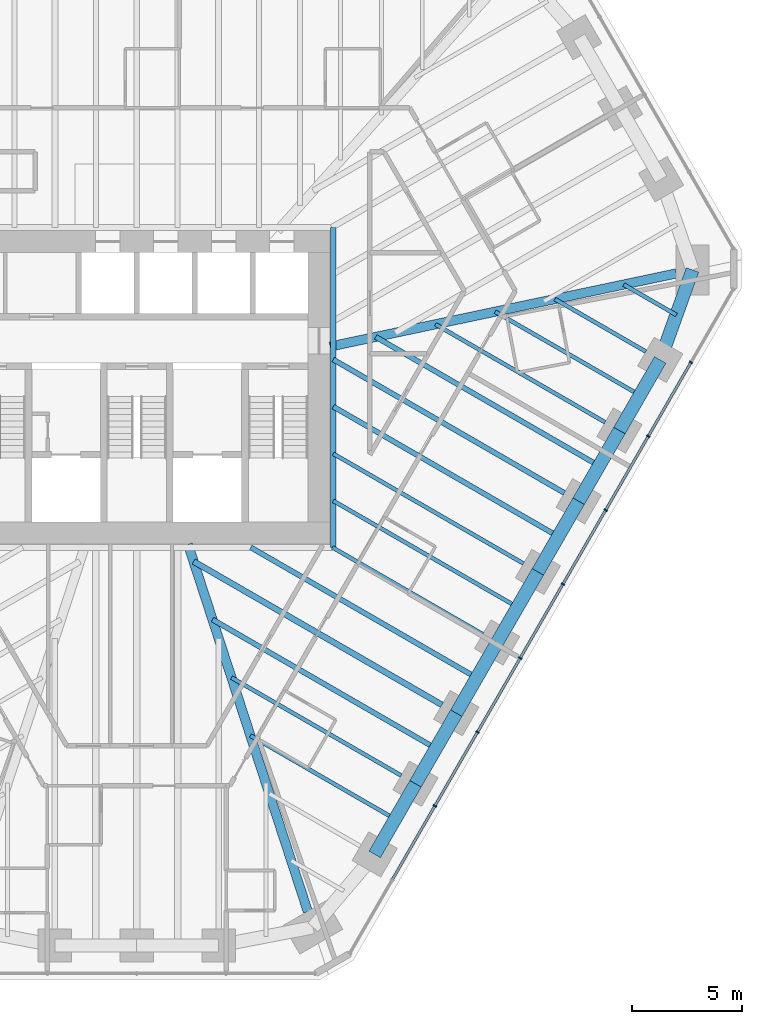
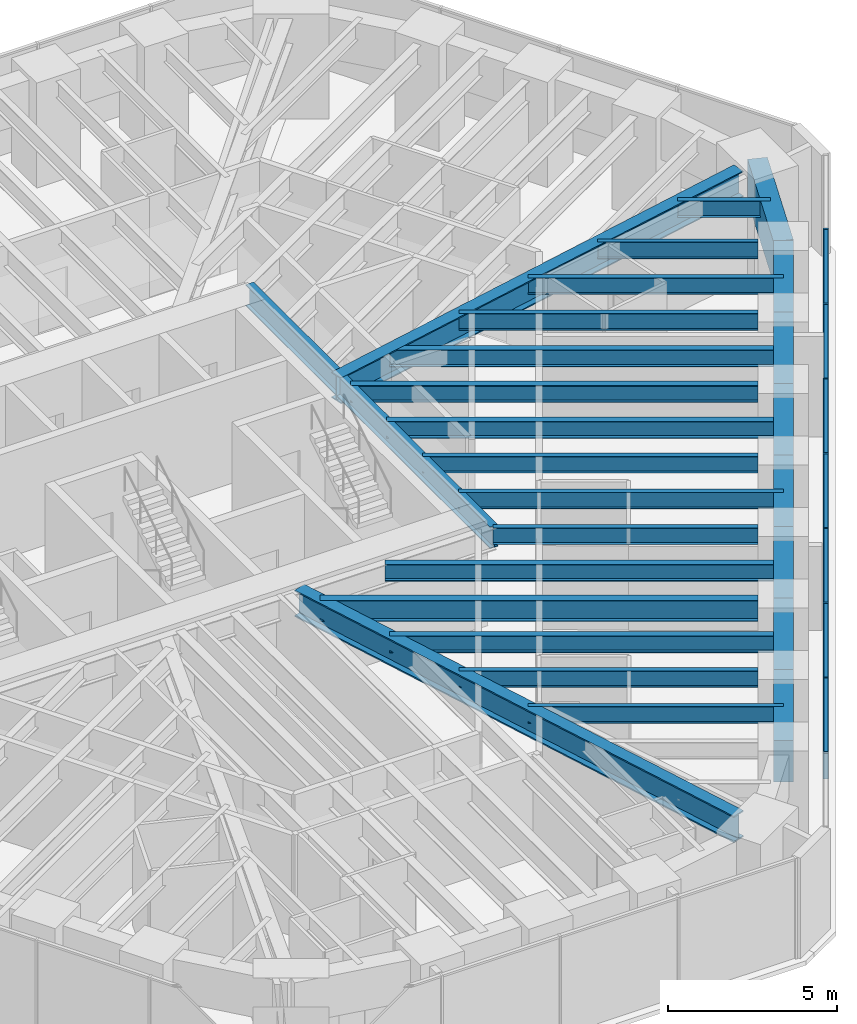
# One storey, part 5 of 16: 26 beams, 14 members, 1 element without a shape of its own.
"""IFC4 building model written with IfcOpenShell, lengths in metres."""

from ifc_helpers import new_model, si_unit, direction, frame, origin, origin_2d, place, context, subcontext, project, spatial, rectangle, i_section, extrude, material, material_profile, profile_set, type_object, element, aggregate, save


model = new_model("IFC4")

# Units and contexts
model_context = context("Model", 3, precision=1e-05, world=origin(), true_north=direction((0.0, 1.0)))
body_context = subcontext(model_context, "Body", "Model", "MODEL_VIEW")
ifc_project = project(units=[si_unit("LENGTHUNIT", "METRE"), si_unit("AREAUNIT", "SQUARE_METRE"), si_unit("VOLUMEUNIT", "CUBIC_METRE"), si_unit("PLANEANGLEUNIT", "RADIAN"), si_unit("MASSUNIT", "GRAM", prefix="KILO")], contexts=[model_context])

# Site, building, storey
site_placement = place(None, origin())
site = spatial("IfcSite", under=ifc_project, at=site_placement, CompositionType="ELEMENT")
building_placement = place(site_placement, origin())
building = spatial("IfcBuilding", under=site, at=building_placement, Name="Sandreach Pilgrim Tower", CompositionType="ELEMENT")
storey_placement = place(building_placement, frame((0.0, 0.0, 206.0)))
storey = spatial("IfcBuildingStorey", under=building, at=storey_placement, Name="L51", CompositionType="ELEMENT", Elevation=206.0)

# Curtain wall, members
ifc_material_1 = material(Name="Aluminium framed curtain wall", Category="aluminium")
curtain_wall_type = type_object("IfcCurtainWallType", Name="Upper hotel tower curtain wall", PredefinedType="NOTDEFINED", material=ifc_material_1)
curtain_wall_placement = place(storey_placement, origin())
curtain_wall = element("IfcCurtainWall", 1, at=curtain_wall_placement, inside=storey, type_object=curtain_wall_type, Name="CW-3 L51 SE", PredefinedType="NOTDEFINED")
ifc_material_2 = material(Name="Aluminium extrusion", Category="aluminium")
ifc_material_profile_1 = material_profile(ifc_material_2, rectangle(XDim=0.06494140625, YDim=0.159912109375, at=origin_2d()), Name="CW-3M 65X160")
ifc_profile_set_1 = profile_set([ifc_material_profile_1], Name="Aluminium extrusion")
member_type_1 = type_object("IfcMemberType", Name="CW-3 mullion", PredefinedType="MULLION", material=ifc_profile_set_1)
member_1_placement = place(storey_placement, frame((25.087890625, 1.13330078125, 0.0), z_axis=(0.0, 0.0, 1.0), x_axis=(-0.5, -0.866025403784, 0.0)))
member_1 = element("IfcMember", 2, at=member_1_placement, type_object=member_type_1, Name="CW-3 mullion 2", PredefinedType="MULLION", context=body_context, shape_type="SweptSolid", body=[
    extrude(rectangle(XDim=0.06494140625, YDim=0.159912109375, at=origin_2d()), origin(), (0.0, 0.0, 1.0), 3.639892578125),
])
member_2_placement = place(storey_placement, frame((23.15576171875, -2.21337890625, 0.0), z_axis=(0.0, 0.0, 1.0), x_axis=(-0.5, -0.866025403784, 0.0)))
member_2 = element("IfcMember", 3, at=member_2_placement, type_object=member_type_1, Name="CW-3 mullion 3", PredefinedType="MULLION", context=body_context, shape_type="SweptSolid", body=[
    extrude(rectangle(XDim=0.06494140625, YDim=0.159912109375, at=origin_2d()), origin(), (0.0, 0.0, 1.0), 3.639892578125),
])
member_3_placement = place(storey_placement, frame((21.223388671875, -5.56005859375, 0.0), z_axis=(0.0, 0.0, 1.0), x_axis=(-0.5, -0.866025403784, 0.0)))
member_3 = element("IfcMember", 4, at=member_3_placement, type_object=member_type_1, Name="CW-3 mullion 4", PredefinedType="MULLION", context=body_context, shape_type="SweptSolid", body=[
    extrude(rectangle(XDim=0.06494140625, YDim=0.159912109375, at=origin_2d()), origin(), (0.0, 0.0, 1.0), 3.639892578125),
])
member_4_placement = place(storey_placement, frame((19.291259765625, -8.90673828125, 0.0), z_axis=(0.0, 0.0, 1.0), x_axis=(-0.5, -0.866025403784, 0.0)))
member_4 = element("IfcMember", 5, at=member_4_placement, type_object=member_type_1, Name="CW-3 mullion 5", PredefinedType="MULLION", context=body_context, shape_type="SweptSolid", body=[
    extrude(rectangle(XDim=0.06494140625, YDim=0.159912109375, at=origin_2d()), origin(), (0.0, 0.0, 1.0), 3.639892578125),
])
member_5_placement = place(storey_placement, frame((17.359130859375, -12.25341796875, 0.0), z_axis=(0.0, 0.0, 1.0), x_axis=(-0.5, -0.866025403784, 0.0)))
member_5 = element("IfcMember", 6, at=member_5_placement, type_object=member_type_1, Name="CW-3 mullion 6", PredefinedType="MULLION", context=body_context, shape_type="SweptSolid", body=[
    extrude(rectangle(XDim=0.06494140625, YDim=0.159912109375, at=origin_2d()), origin(), (0.0, 0.0, 1.0), 3.639892578125),
])
member_6_placement = place(storey_placement, frame((15.4267578125, -15.60009765625, 0.0), z_axis=(0.0, 0.0, 1.0), x_axis=(-0.5, -0.866025403784, 0.0)))
member_6 = element("IfcMember", 7, at=member_6_placement, type_object=member_type_1, Name="CW-3 mullion 7", PredefinedType="MULLION", context=body_context, shape_type="SweptSolid", body=[
    extrude(rectangle(XDim=0.06494140625, YDim=0.159912109375, at=origin_2d()), origin(), (0.0, 0.0, 1.0), 3.639892578125),
])
member_7_placement = place(storey_placement, frame((13.49462890625, -18.94677734375, 0.0), z_axis=(0.0, 0.0, 1.0), x_axis=(-0.5, -0.866025403784, 0.0)))
member_7 = element("IfcMember", 8, at=member_7_placement, type_object=member_type_1, Name="CW-3 mullion 8", PredefinedType="MULLION", context=body_context, shape_type="SweptSolid", body=[
    extrude(rectangle(XDim=0.06494140625, YDim=0.159912109375, at=origin_2d()), origin(), (0.0, 0.0, 1.0), 3.639892578125),
])
ifc_material_3 = material(Name="Aluminium extrusion", Category="aluminium")
ifc_material_profile_2 = material_profile(ifc_material_3, rectangle(XDim=0.1201171875, YDim=0.070068359375, at=origin_2d()), Name="CW-3T 120X70")
ifc_profile_set_2 = profile_set([ifc_material_profile_2], Name="Aluminium extrusion")
member_type_2 = type_object("IfcMemberType", Name="CW-3 transom", PredefinedType="USERDEFINED", material=ifc_profile_set_2)
member_8_placement = place(storey_placement, frame((25.07177734375, 1.105224609375, 3.60498046875), z_axis=(-0.500022797313, -0.86601224135, 0.0), x_axis=(0.86601224135, -0.500022797313, 0.0)))
member_8 = element("IfcMember", 9, at=member_8_placement, type_object=member_type_2, Name="CW-3 head transom 2", ObjectType="TRANSOM", PredefinedType="USERDEFINED", context=body_context, shape_type="SweptSolid", body=[
    extrude(rectangle(XDim=0.1201171875, YDim=0.070068359375, at=origin_2d()), origin(), (0.0, 0.0, 1.0), 3.799560546875),
])
member_9_placement = place(storey_placement, frame((23.139404296875, -2.241455078125, 3.60498046875), z_axis=(-0.499974606132, -0.866040064445, 0.0), x_axis=(0.866040064445, -0.499974606132, 0.0)))
member_9 = element("IfcMember", 10, at=member_9_placement, type_object=member_type_2, Name="CW-3 head transom 3", ObjectType="TRANSOM", PredefinedType="USERDEFINED", context=body_context, shape_type="SweptSolid", body=[
    extrude(rectangle(XDim=0.1201171875, YDim=0.070068359375, at=origin_2d()), origin(), (0.0, 0.0, 1.0), 3.799560546875),
])
member_10_placement = place(storey_placement, frame((21.207275390625, -5.588134765625, 3.60498046875), z_axis=(-0.499974606132, -0.866040064445, 0.0), x_axis=(0.866040064445, -0.499974606132, 0.0)))
member_10 = element("IfcMember", 11, at=member_10_placement, type_object=member_type_2, Name="CW-3 head transom 4", ObjectType="TRANSOM", PredefinedType="USERDEFINED", context=body_context, shape_type="SweptSolid", body=[
    extrude(rectangle(XDim=0.1201171875, YDim=0.070068359375, at=origin_2d()), origin(), (0.0, 0.0, 1.0), 3.799560546875),
])
member_11_placement = place(storey_placement, frame((19.275146484375, -8.934814453125, 3.60498046875), z_axis=(-0.500022797313, -0.86601224135, 0.0), x_axis=(0.86601224135, -0.500022797313, 0.0)))
member_11 = element("IfcMember", 12, at=member_11_placement, type_object=member_type_2, Name="CW-3 head transom 5", ObjectType="TRANSOM", PredefinedType="USERDEFINED", context=body_context, shape_type="SweptSolid", body=[
    extrude(rectangle(XDim=0.1201171875, YDim=0.070068359375, at=origin_2d()), origin(), (0.0, 0.0, 1.0), 3.799560546875),
])
member_12_placement = place(storey_placement, frame((17.3427734375, -12.281494140625, 3.60498046875), z_axis=(-0.499974606132, -0.866040064445, 0.0), x_axis=(0.866040064445, -0.499974606132, 0.0)))
member_12 = element("IfcMember", 13, at=member_12_placement, type_object=member_type_2, Name="CW-3 head transom 6", ObjectType="TRANSOM", PredefinedType="USERDEFINED", context=body_context, shape_type="SweptSolid", body=[
    extrude(rectangle(XDim=0.1201171875, YDim=0.070068359375, at=origin_2d()), origin(), (0.0, 0.0, 1.0), 3.799560546875),
])
member_13_placement = place(storey_placement, frame((15.41064453125, -15.628173828125, 3.60498046875), z_axis=(-0.499974606132, -0.866040064445, 0.0), x_axis=(0.866040064445, -0.499974606132, 0.0)))
member_13 = element("IfcMember", 14, at=member_13_placement, type_object=member_type_2, Name="CW-3 head transom 7", ObjectType="TRANSOM", PredefinedType="USERDEFINED", context=body_context, shape_type="SweptSolid", body=[
    extrude(rectangle(XDim=0.1201171875, YDim=0.070068359375, at=origin_2d()), origin(), (0.0, 0.0, 1.0), 3.799560546875),
])
member_14_placement = place(storey_placement, frame((13.478515625, -18.974853515625, 3.60498046875), z_axis=(-0.500022797313, -0.86601224135, 0.0), x_axis=(0.86601224135, -0.500022797313, 0.0)))
member_14 = element("IfcMember", 15, at=member_14_placement, type_object=member_type_2, Name="CW-3 head transom 8", ObjectType="TRANSOM", PredefinedType="USERDEFINED", context=body_context, shape_type="SweptSolid", body=[
    extrude(rectangle(XDim=0.1201171875, YDim=0.070068359375, at=origin_2d()), origin(), (0.0, 0.0, 1.0), 3.799560546875),
])
aggregate(curtain_wall, [member_1, member_2, member_3, member_4, member_5, member_6, member_7, member_8, member_9, member_10, member_11, member_12, member_13, member_14])

# Beams
ifc_material_4 = material(Name="Steel ASTM A992 Grade 50", Category="steel")
ifc_material_profile_3 = material_profile(ifc_material_4, i_section(OverallWidth=0.2666015625, OverallDepth=0.77978515625, WebThickness=0.0166015625, FlangeThickness=0.030029296875, at=origin_2d()), Name="W30X148")
ifc_profile_set_3 = profile_set([ifc_material_profile_3], Name="Steel ASTM A992 Grade 50")
beam_type_1 = type_object("IfcBeamType", Name="Core edge beam W30X148", PredefinedType="BEAM", material=ifc_profile_set_3)
beam_1_placement = place(storey_placement, frame((8.893310546875, 7.243408203125, 3.25), z_axis=(0.0, -1.0, 0.0), x_axis=(1.0, 0.0, 0.0)))
element("IfcBeam", 16, at=beam_1_placement, inside=storey, type_object=beam_type_1, Name="BM L51 CEE", PredefinedType="BEAM", context=body_context, shape_type="SweptSolid", body=[
    extrude(i_section(OverallWidth=0.2666015625, OverallDepth=0.77978515625, WebThickness=0.0166015625, FlangeThickness=0.030029296875, at=origin_2d()), origin(), (0.0, 0.0, 1.0), 14.48681640625),
])
ifc_material_5 = material(Name="Steel ASTM A992 Grade 50", Category="steel")
ifc_material_profile_4 = material_profile(ifc_material_5, i_section(OverallWidth=0.421630859375, OverallDepth=0.937255859375, WebThickness=0.0224609375, FlangeThickness=0.039794921875, at=origin_2d()), Name="W36X282")
ifc_profile_set_4 = profile_set([ifc_material_profile_4], Name="Steel ASTM A992 Grade 50")
beam_type_2 = type_object("IfcBeamType", Name="Corner girder W36X282", PredefinedType="BEAM", material=ifc_profile_set_4)
beam_2_placement = place(storey_placement, frame((24.422607421875, 5.156494140625, 3.17138671875), z_axis=(-0.978428978804, -0.206583478132, 0.0), x_axis=(0.206583478132, -0.978428978804, 0.0)))
element("IfcBeam", 17, at=beam_2_placement, inside=storey, type_object=beam_type_2, Name="BM L51 CG13", PredefinedType="BEAM", context=body_context, shape_type="SweptSolid", body=[
    extrude(i_section(OverallWidth=0.421630859375, OverallDepth=0.937255859375, WebThickness=0.0224609375, FlangeThickness=0.039794921875, at=origin_2d()), origin(), (0.0, 0.0, 1.0), 16.01806640625),
])
ifc_material_6 = material(Name="Steel ASTM A992 Grade 50", Category="steel")
ifc_material_profile_5 = material_profile(ifc_material_6, i_section(OverallWidth=0.421630859375, OverallDepth=0.95751953125, WebThickness=0.02587890625, FlangeThickness=0.046875, at=origin_2d()), Name="W36X330")
ifc_profile_set_5 = profile_set([ifc_material_profile_5], Name="Steel ASTM A992 Grade 50")
beam_type_3 = type_object("IfcBeamType", Name="Corner girder W36X330", PredefinedType="BEAM", material=ifc_profile_set_5)
beam_3_placement = place(storey_placement, frame((7.745849609375, -23.72900390625, 3.1611328125), z_axis=(-0.310317870968, 0.950632851819, 0.0), x_axis=(-0.950632851819, -0.310317870968, 0.0)))
element("IfcBeam", 18, at=beam_3_placement, inside=storey, type_object=beam_type_3, Name="BM L51 CG22", PredefinedType="BEAM", context=body_context, shape_type="SweptSolid", body=[
    extrude(i_section(OverallWidth=0.421630859375, OverallDepth=0.95751953125, WebThickness=0.02587890625, FlangeThickness=0.046875, at=origin_2d()), origin(), (0.0, 0.0, 1.0), 17.492431640625),
])
ifc_material_7 = material(Name="Steel ASTM A992 Grade 50", Category="steel")
ifc_material_profile_6 = material_profile(ifc_material_7, i_section(OverallWidth=0.1787109375, OverallDepth=0.60205078125, WebThickness=0.010986328125, FlangeThickness=0.014892578125, at=origin_2d()), Name="W24X62")
ifc_profile_set_6 = profile_set([ifc_material_profile_6], Name="Steel ASTM A992 Grade 50")
beam_type_4 = type_object("IfcBeamType", Name="Floor beam W24X62", PredefinedType="BEAM", material=ifc_profile_set_6)
beam_4_placement = place(storey_placement, frame((23.04638671875, 1.6171875, 3.339111328125), z_axis=(-0.86603347311, 0.499986023258, 0.0), x_axis=(-0.499986023258, -0.86603347311, 0.0)))
element("IfcBeam", 19, at=beam_4_placement, inside=storey, type_object=beam_type_4, Name="BM L51 F14", PredefinedType="BEAM", context=body_context, shape_type="SweptSolid", body=[
    extrude(i_section(OverallWidth=0.1787109375, OverallDepth=0.60205078125, WebThickness=0.010986328125, FlangeThickness=0.014892578125, at=origin_2d()), origin(), (0.0, 0.0, 1.0), 4.757568359375),
])
beam_5_placement = place(storey_placement, frame((21.2001953125, -1.58056640625, 3.339111328125), z_axis=(-0.866027448082, 0.499996459156, 0.0), x_axis=(-0.499996459156, -0.866027448082, 0.0)))
element("IfcBeam", 20, at=beam_5_placement, inside=storey, type_object=beam_type_4, Name="BM L51 F15", PredefinedType="BEAM", context=body_context, shape_type="SweptSolid", body=[
    extrude(i_section(OverallWidth=0.1787109375, OverallDepth=0.60205078125, WebThickness=0.010986328125, FlangeThickness=0.014892578125, at=origin_2d()), origin(), (0.0, 0.0, 1.0), 8.86962890625),
])
beam_6_placement = place(storey_placement, frame((17.507568359375, -7.97607421875, 3.339111328125), z_axis=(-0.866027815265, 0.499995823171, 0.0), x_axis=(-0.499995823171, -0.866027815265, 0.0)))
element("IfcBeam", 21, at=beam_6_placement, inside=storey, type_object=beam_type_4, Name="BM L51 F17", PredefinedType="BEAM", context=body_context, shape_type="SweptSolid", body=[
    extrude(i_section(OverallWidth=0.1787109375, OverallDepth=0.60205078125, WebThickness=0.010986328125, FlangeThickness=0.014892578125, at=origin_2d()), origin(), (0.0, 0.0, 1.0), 9.94677734375),
])
beam_7_placement = place(storey_placement, frame((15.661376953125, -11.173828125, 3.339111328125), z_axis=(-0.866038711524, 0.49997694961, 0.0), x_axis=(-0.49997694961, -0.866038711524, 0.0)))
element("IfcBeam", 22, at=beam_7_placement, inside=storey, type_object=beam_type_4, Name="BM L51 F18", PredefinedType="BEAM", context=body_context, shape_type="SweptSolid", body=[
    extrude(i_section(OverallWidth=0.1787109375, OverallDepth=0.60205078125, WebThickness=0.010986328125, FlangeThickness=0.014892578125, at=origin_2d()), origin(), (0.0, 0.0, 1.0), 7.861083984375),
])
beam_8_placement = place(storey_placement, frame((11.96875, -17.569580078125, 3.339111328125), z_axis=(-0.866020566617, 0.500008378126, 0.0), x_axis=(-0.500008378126, -0.866020566617, 0.0)))
element("IfcBeam", 23, at=beam_8_placement, inside=storey, type_object=beam_type_4, Name="BM L51 F20", PredefinedType="BEAM", context=body_context, shape_type="SweptSolid", body=[
    extrude(i_section(OverallWidth=0.1787109375, OverallDepth=0.60205078125, WebThickness=0.010986328125, FlangeThickness=0.014892578125, at=origin_2d()), origin(), (0.0, 0.0, 1.0), 8.869384765625),
])
beam_9_placement = place(storey_placement, frame((24.42626953125, 3.27685546875, 3.339111328125), z_axis=(-0.866046803606, 0.49996293259, 0.0), x_axis=(-0.49996293259, -0.866046803606, 0.0)))
element("IfcBeam", 24, at=beam_9_placement, inside=storey, type_object=beam_type_4, Name="BM L51 FM13", PredefinedType="BEAM", context=body_context, shape_type="SweptSolid", body=[
    extrude(i_section(OverallWidth=0.1787109375, OverallDepth=0.60205078125, WebThickness=0.010986328125, FlangeThickness=0.014892578125, at=origin_2d()), origin(), (0.0, 0.0, 1.0), 2.753662109375),
])
beam_10_placement = place(storey_placement, frame((22.772705078125, -0.356689453125, 3.339111328125), z_axis=(-0.866029704776, 0.49999255039, 0.0), x_axis=(-0.49999255039, -0.866029704776, 0.0)))
element("IfcBeam", 25, at=beam_10_placement, inside=storey, type_object=beam_type_4, Name="BM L51 FM14", PredefinedType="BEAM", context=body_context, shape_type="SweptSolid", body=[
    extrude(i_section(OverallWidth=0.1787109375, OverallDepth=0.60205078125, WebThickness=0.010986328125, FlangeThickness=0.014892578125, at=origin_2d()), origin(), (0.0, 0.0, 1.0), 7.5634765625),
])
beam_11_placement = place(storey_placement, frame((17.23388671875, -9.949951171875, 3.339111328125), z_axis=(-0.866025593094, 0.499999672107, 0.0), x_axis=(-0.499999672107, -0.866025593094, 0.0)))
element("IfcBeam", 26, at=beam_11_placement, inside=storey, type_object=beam_type_4, Name="BM L51 FM17", PredefinedType="BEAM", context=body_context, shape_type="SweptSolid", body=[
    extrude(i_section(OverallWidth=0.1787109375, OverallDepth=0.60205078125, WebThickness=0.010986328125, FlangeThickness=0.014892578125, at=origin_2d()), origin(), (0.0, 0.0, 1.0), 9.630859375),
])
beam_12_placement = place(storey_placement, frame((11.6953125, -19.54345703125, 3.339111328125), z_axis=(-0.866029704776, 0.49999255039, 0.0), x_axis=(-0.49999255039, -0.866029704776, 0.0)))
element("IfcBeam", 27, at=beam_12_placement, inside=storey, type_object=beam_type_4, Name="BM L51 FM20", PredefinedType="BEAM", context=body_context, shape_type="SweptSolid", body=[
    extrude(i_section(OverallWidth=0.1787109375, OverallDepth=0.60205078125, WebThickness=0.010986328125, FlangeThickness=0.014892578125, at=origin_2d()), origin(), (0.0, 0.0, 1.0), 7.5634765625),
])
ifc_material_8 = material(Name="Steel ASTM A992 Grade 50", Category="steel")
ifc_material_profile_7 = material_profile(ifc_material_8, i_section(OverallWidth=0.23046875, OverallDepth=0.6171875, WebThickness=0.01318359375, FlangeThickness=0.022216796875, at=origin_2d()), Name="W24X94")
ifc_profile_set_7 = profile_set([ifc_material_profile_7], Name="Steel ASTM A992 Grade 50")
beam_type_5 = type_object("IfcBeamType", Name="Floor beam W24X94", PredefinedType="BEAM", material=ifc_profile_set_7)
beam_13_placement = place(storey_placement, frame((19.353759765625, -4.7783203125, 3.331298828125), z_axis=(-0.866026713419, 0.49999773164, 0.0), x_axis=(-0.49999773164, -0.866026713419, 0.0)))
element("IfcBeam", 28, at=beam_13_placement, inside=storey, type_object=beam_type_5, Name="BM L51 F16", PredefinedType="BEAM", context=body_context, shape_type="SweptSolid", body=[
    extrude(i_section(OverallWidth=0.23046875, OverallDepth=0.6171875, WebThickness=0.01318359375, FlangeThickness=0.022216796875, at=origin_2d()), origin(), (0.0, 0.0, 1.0), 12.07861328125),
])
beam_14_placement = place(storey_placement, frame((20.926513671875, -3.554443359375, 3.331298828125), z_axis=(-0.866026454974, 0.499998179282, 0.0), x_axis=(-0.499998179282, -0.866026454974, 0.0)))
element("IfcBeam", 29, at=beam_14_placement, inside=storey, type_object=beam_type_5, Name="BM L51 FM15", PredefinedType="BEAM", context=body_context, shape_type="SweptSolid", body=[
    extrude(i_section(OverallWidth=0.23046875, OverallDepth=0.6171875, WebThickness=0.01318359375, FlangeThickness=0.022216796875, at=origin_2d()), origin(), (0.0, 0.0, 1.0), 11.67578125),
])
beam_15_placement = place(storey_placement, frame((19.080322265625, -6.752197265625, 3.331298828125), z_axis=(-0.866030053141, 0.499991946992, 0.0), x_axis=(-0.499991946992, -0.866030053141, 0.0)))
element("IfcBeam", 30, at=beam_15_placement, inside=storey, type_object=beam_type_5, Name="BM L51 FM16", PredefinedType="BEAM", context=body_context, shape_type="SweptSolid", body=[
    extrude(i_section(OverallWidth=0.23046875, OverallDepth=0.6171875, WebThickness=0.01318359375, FlangeThickness=0.022216796875, at=origin_2d()), origin(), (0.0, 0.0, 1.0), 11.762939453125),
])
beam_16_placement = place(storey_placement, frame((15.3876953125, -13.14794921875, 3.331298828125), z_axis=(-0.866022050506, 0.500005808004, 0.0), x_axis=(-0.500005808004, -0.866022050506, 0.0)))
element("IfcBeam", 31, at=beam_16_placement, inside=storey, type_object=beam_type_5, Name="BM L51 FM18", PredefinedType="BEAM", context=body_context, shape_type="SweptSolid", body=[
    extrude(i_section(OverallWidth=0.23046875, OverallDepth=0.6171875, WebThickness=0.01318359375, FlangeThickness=0.022216796875, at=origin_2d()), origin(), (0.0, 0.0, 1.0), 11.808837890625),
])
beam_17_placement = place(storey_placement, frame((13.54150390625, -16.345703125, 3.331298828125), z_axis=(-0.866026454974, 0.499998179282, 0.0), x_axis=(-0.499998179282, -0.866026454974, 0.0)))
element("IfcBeam", 32, at=beam_17_placement, inside=storey, type_object=beam_type_5, Name="BM L51 FM19", PredefinedType="BEAM", context=body_context, shape_type="SweptSolid", body=[
    extrude(i_section(OverallWidth=0.23046875, OverallDepth=0.6171875, WebThickness=0.01318359375, FlangeThickness=0.022216796875, at=origin_2d()), origin(), (0.0, 0.0, 1.0), 11.67578125),
])
ifc_material_9 = material(Name="Steel ASTM A992 Grade 50", Category="steel")
ifc_material_profile_8 = material_profile(ifc_material_9, i_section(OverallWidth=0.2666015625, OverallDepth=0.761962890625, WebThickness=0.014404296875, FlangeThickness=0.021484375, at=origin_2d()), Name="W30X116")
ifc_profile_set_8 = profile_set([ifc_material_profile_8], Name="Steel ASTM A992 Grade 50")
beam_type_6 = type_object("IfcBeamType", Name="Floor beam W30X116", PredefinedType="BEAM", material=ifc_profile_set_8)
beam_18_placement = place(storey_placement, frame((13.815185546875, -14.371826171875, 3.259033203125), z_axis=(-0.866025240073, 0.500000283557, 0.0), x_axis=(-0.500000283557, -0.866025240073, 0.0)))
element("IfcBeam", 33, at=beam_18_placement, inside=storey, type_object=beam_type_6, Name="BM L51 F19", PredefinedType="BEAM", context=body_context, shape_type="SweptSolid", body=[
    extrude(i_section(OverallWidth=0.2666015625, OverallDepth=0.761962890625, WebThickness=0.014404296875, FlangeThickness=0.021484375, at=origin_2d()), origin(), (0.0, 0.0, 1.0), 12.98193359375),
])
ifc_material_10 = material(Name="Concrete 10000 psi", Category="concrete")
ifc_material_profile_9 = material_profile(ifc_material_10, rectangle(XDim=0.60009765625, YDim=1.5, at=origin_2d()), Name="RC600X1500")
ifc_profile_set_9 = profile_set([ifc_material_profile_9], Name="Concrete 10000 psi")
beam_type_7 = type_object("IfcBeamType", Name="Spandrel beam RC600X1500", PredefinedType="SPANDREL", material=ifc_profile_set_9)
beam_19_placement = place(storey_placement, frame((25.156494140625, 5.311279296875, 2.889892578125), z_axis=(-0.337863470932, -0.941195131208, 0.0), x_axis=(0.941195131208, -0.337863470932, 0.0)))
element("IfcBeam", 34, at=beam_19_placement, inside=storey, type_object=beam_type_7, Name="BM L51 SP13", PredefinedType="SPANDREL", context=body_context, shape_type="SweptSolid", body=[
    extrude(rectangle(XDim=0.60009765625, YDim=1.5, at=origin_2d()), origin(), (0.0, 0.0, 1.0), 4.3232421875),
])
for number, where, z_axis, x_axis, name in (
    (35, (23.69580078125, 1.2421875, 2.889892578125), (-0.499993363642, -0.866029235253, 0.0), (0.866029235253, -0.499993363642, 0.0), "BM L51 SP14"),
    (36, (21.849609375, -1.95556640625, 2.889892578125), (-0.499993363642, -0.866029235253, 0.0), (0.866029235253, -0.499993363642, 0.0), "BM L51 SP15"),
    (37, (20.00341796875, -5.1533203125, 2.889892578125), (-0.499993363642, -0.866029235253, 0.0), (0.866029235253, -0.499993363642, 0.0), "BM L51 SP16"),
):
    element("IfcBeam", number, at=place(storey_placement, frame(where, z_axis=z_axis, x_axis=x_axis)), inside=storey, type_object=beam_type_7, Name=name, PredefinedType="SPANDREL", context=body_context, shape_type="SweptSolid", body=[
        extrude(rectangle(XDim=0.60009765625, YDim=1.5, at=origin_2d()), origin(), (0.0, 0.0, 1.0), 3.6923828125),
    ])
for number, where, z_axis, x_axis, name in (
    (38, (18.1572265625, -8.35107421875, 2.889892578125), (-0.500042951019, -0.866000604582, 0.0), (0.866000604582, -0.500042951019, 0.0), "BM L51 SP17"),
    (39, (16.310791015625, -11.548828125, 2.889892578125), (-0.49996473481, -0.866045763194, 0.0), (0.866045763194, -0.49996473481, 0.0), "BM L51 SP18"),
):
    element("IfcBeam", number, at=place(storey_placement, frame(where, z_axis=z_axis, x_axis=x_axis)), inside=storey, type_object=beam_type_7, Name=name, PredefinedType="SPANDREL", context=body_context, shape_type="SweptSolid", body=[
        extrude(rectangle(XDim=0.60009765625, YDim=1.5, at=origin_2d()), origin(), (0.0, 0.0, 1.0), 3.692626953125),
    ])
for number, where, z_axis, x_axis, name in (
    (40, (14.464599609375, -14.746826171875, 2.889892578125), (-0.499993363642, -0.866029235253, 0.0), (0.866029235253, -0.499993363642, 0.0), "BM L51 SP19"),
    (41, (12.618408203125, -17.944580078125, 2.889892578125), (-0.499993363642, -0.866029235253, 0.0), (0.866029235253, -0.499993363642, 0.0), "BM L51 SP20"),
):
    element("IfcBeam", number, at=place(storey_placement, frame(where, z_axis=z_axis, x_axis=x_axis)), inside=storey, type_object=beam_type_7, Name=name, PredefinedType="SPANDREL", context=body_context, shape_type="SweptSolid", body=[
        extrude(rectangle(XDim=0.60009765625, YDim=1.5, at=origin_2d()), origin(), (0.0, 0.0, 1.0), 3.6923828125),
    ])

save(model, "model.ifc")
